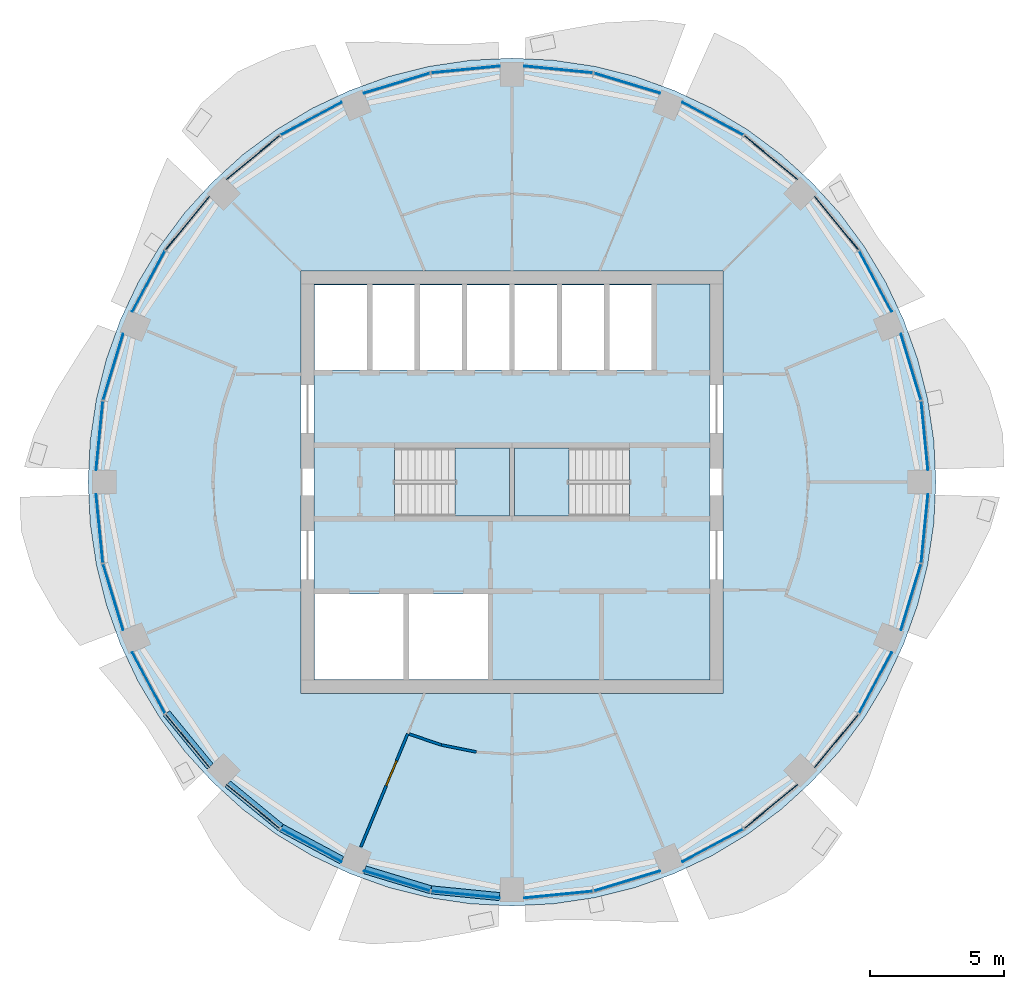
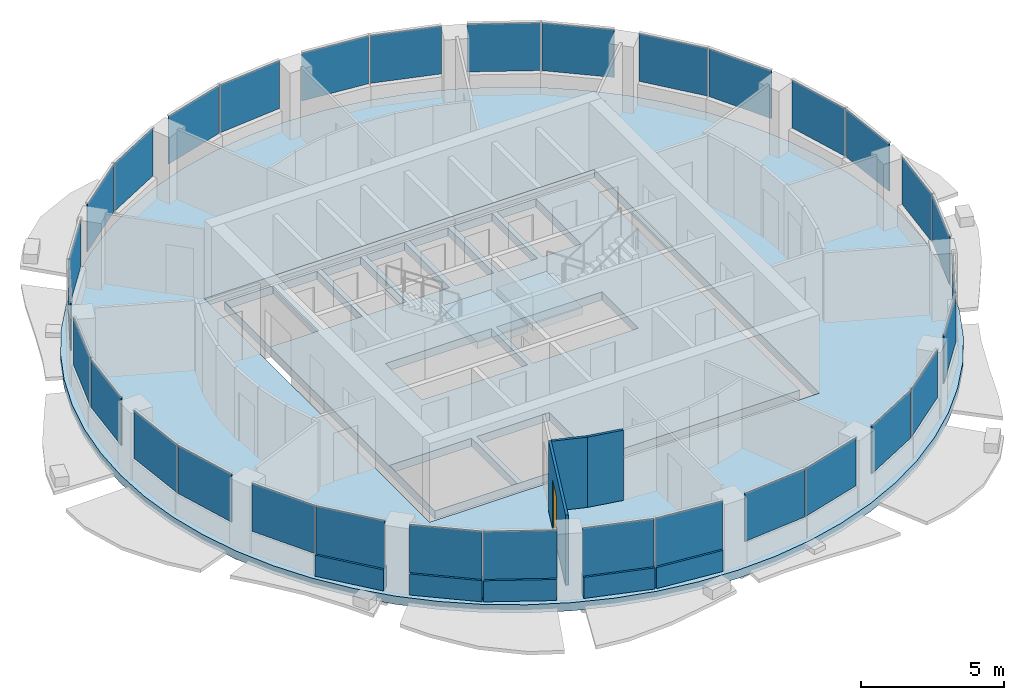
# One storey, part 6 of 14: 32 plates, 8 walls, 4 slabs, 1 door, 1 opening, 18 elements without a shape of their own.
"""IFC4 building model written with IfcOpenShell, lengths in metres."""

from ifc_helpers import new_model, si_unit, direction, frame, frame_2d, origin, origin_2d, place, context, subcontext, project, spatial, polyline, rectangle, outline, extrude, material, layer, layer_set, type_object, element, fill, aggregate, save


model = new_model("IFC4")

# Units and contexts
model_context = context("Model", 3, precision=1e-05, world=origin(), true_north=direction((0.0, 1.0)))
body_context = subcontext(model_context, "Body", "Model", "MODEL_VIEW")
ifc_project = project(units=[si_unit("LENGTHUNIT", "METRE"), si_unit("AREAUNIT", "SQUARE_METRE"), si_unit("VOLUMEUNIT", "CUBIC_METRE"), si_unit("PLANEANGLEUNIT", "RADIAN"), si_unit("MASSUNIT", "GRAM", prefix="KILO")], contexts=[model_context])

# Site, building, storey
site_placement = place(None, origin())
site = spatial("IfcSite", under=ifc_project, at=site_placement, CompositionType="ELEMENT")
building_placement = place(site_placement, origin())
building = spatial("IfcBuilding", under=site, at=building_placement, Name="Polderwave Tower", CompositionType="ELEMENT")
storey_placement = place(building_placement, frame((0.0, 0.0, 221.14990234375)))
storey = spatial("IfcBuildingStorey", under=building, at=storey_placement, Name="L60", CompositionType="ELEMENT", Elevation=221.14990234375)

# Slab
ifc_material_1 = material(Name="Concrete C40/50", Category="concrete")
ifc_layer_1 = layer(ifc_material_1, 0.35009765625)
ifc_layer_set_1 = layer_set([ifc_layer_1], Name="Core floor slab 350")
slab_type_1 = type_object("IfcSlabType", Name="Core floor slab 350", PredefinedType="FLOOR", material=ifc_layer_set_1)
slab_1_placement = place(storey_placement, frame((0.0, 0.0, -0.349853515625)))
element("IfcSlab", 1, at=slab_1_placement, inside=storey, type_object=slab_type_1, Name="L60 core floor", PredefinedType="FLOOR", context=body_context, shape_type="SweptSolid", body=[
    extrude(outline(polyline([(-7.3740234375, -7.3740234375), (7.3740234375, -7.3740234375), (7.3740234375, 7.3740234375), (-7.3740234375, 7.3740234375), (-7.3740234375, -7.3740234375)]), holes=[polyline([(-7.35400390625, -7.35400390625), (-4.037109375, -7.35400390625), (-4.037109375, -4.174072265625), (-7.35400390625, -4.174072265625), (-7.35400390625, -7.35400390625)]), polyline([(-3.8369140625, -7.35400390625), (-0.89990234375, -7.35400390625), (-0.89990234375, -4.174072265625), (-3.8369140625, -4.174072265625), (-3.8369140625, -7.35400390625)]), polyline([(-7.35400390625, 4.174072265625), (-5.405517578125, 4.174072265625), (-5.405517578125, 7.35400390625), (-7.35400390625, 7.35400390625), (-7.35400390625, 4.174072265625)]), polyline([(-5.20556640625, 4.174072265625), (-3.636962890625, 4.174072265625), (-3.636962890625, 7.35400390625), (-5.20556640625, 7.35400390625), (-5.20556640625, 4.174072265625)]), polyline([(-3.43701171875, 4.174072265625), (-1.868408203125, 4.174072265625), (-1.868408203125, 7.35400390625), (-3.43701171875, 7.35400390625), (-3.43701171875, 4.174072265625)]), polyline([(-1.66845703125, 4.174072265625), (-0.10009765625, 4.174072265625), (-0.10009765625, 7.35400390625), (-1.66845703125, 7.35400390625), (-1.66845703125, 4.174072265625)]), polyline([(0.10009765625, 4.174072265625), (1.66845703125, 4.174072265625), (1.66845703125, 7.35400390625), (0.10009765625, 7.35400390625), (0.10009765625, 4.174072265625)]), polyline([(1.868408203125, 4.174072265625), (3.43701171875, 4.174072265625), (3.43701171875, 7.35400390625), (1.868408203125, 7.35400390625), (1.868408203125, 4.174072265625)]), polyline([(3.636962890625, 4.174072265625), (5.20556640625, 4.174072265625), (5.20556640625, 7.35400390625), (3.636962890625, 7.35400390625), (3.636962890625, 4.174072265625)]), polyline([(-4.37353515625, -1.2744140625), (-0.1005859375, -1.2744140625), (-0.1005859375, 1.2744140625), (-4.37353515625, 1.2744140625), (-4.37353515625, -1.2744140625)]), polyline([(0.1005859375, -1.2744140625), (4.37353515625, -1.2744140625), (4.37353515625, 1.2744140625), (0.1005859375, 1.2744140625), (0.1005859375, -1.2744140625)])]), origin(), (0.0, 0.0, 1.0), 0.349853515625),
])

# Curtain wall, plates
ifc_material_2 = material(Name="Aluminium 6063-T6 and glass", Category="aluminium")
curtain_wall_type = type_object("IfcCurtainWallType", Name="Office ribbon glazing wall", PredefinedType="NOTDEFINED", material=ifc_material_2)
curtain_wall_1_placement = place(storey_placement, origin())
curtain_wall_1 = element("IfcCurtainWall", 2, at=curtain_wall_1_placement, inside=storey, type_object=curtain_wall_type, Name="CW3 L60 00", PredefinedType="NOTDEFINED")
ifc_material_3 = material(Name="Glass, low-e laminated double glazing", Category="glass")
ifc_layer_2 = layer(ifc_material_3, 0.031982421875)
ifc_layer_set_2 = layer_set([ifc_layer_2], Name="Office ribbon glazing glass panel 32 mm")
plate_type = type_object("IfcPlateType", Name="Office ribbon glazing glass panel 32 mm", PredefinedType="CURTAIN_PANEL", material=ifc_layer_set_2)
plate_1_placement = place(storey_placement, frame((15.3798828125, 1.728271484375, 0.900146484375), z_axis=(0.0, 0.0, 1.0), x_axis=(-0.098206463381, 0.995166061796, 0.0)))
plate_1 = element("IfcPlate", 3, at=plate_1_placement, type_object=plate_type, Name="CW3 panel 1", PredefinedType="CURTAIN_PANEL", context=body_context, shape_type="SweptSolid", body=[
    extrude(rectangle(XDim=2.569091796875, YDim=0.031982421875, at=origin_2d()), origin(), (0.0, 0.0, 1.0), 2.0400390625),
])
plate_2_placement = place(storey_placement, frame((14.87060546875, 4.289306640625, 0.900146484375), z_axis=(0.0, 0.0, 1.0), x_axis=(-0.290104293095, 0.956995036104, 0.0)))
plate_2 = element("IfcPlate", 4, at=plate_2_placement, type_object=plate_type, Name="CW3 panel 2", PredefinedType="CURTAIN_PANEL", context=body_context, shape_type="SweptSolid", body=[
    extrude(rectangle(XDim=2.568115234375, YDim=0.031982421875, at=origin_2d()), origin(), (0.0, 0.0, 1.0), 2.0400390625),
])
aggregate(curtain_wall_1, [plate_1, plate_2])

curtain_wall_2_placement = place(storey_placement, origin())
curtain_wall_2 = element("IfcCurtainWall", 5, at=curtain_wall_2_placement, inside=storey, type_object=curtain_wall_type, Name="CW3 L60 01", PredefinedType="NOTDEFINED")
plate_3_placement = place(storey_placement, frame((13.547607421875, 7.482421875, 0.900146484375), z_axis=(0.0, 0.0, 1.0), x_axis=(-0.471547575742, 0.881840622682, 0.0)))
plate_3 = element("IfcPlate", 6, at=plate_3_placement, type_object=plate_type, Name="CW3 panel 1", PredefinedType="CURTAIN_PANEL", context=body_context, shape_type="SweptSolid", body=[
    extrude(rectangle(XDim=2.568115234375, YDim=0.031982421875, at=origin_2d()), origin(), (0.0, 0.0, 1.0), 2.0400390625),
])
plate_4_placement = place(storey_placement, frame((12.0966796875, 9.653076171875, 0.900146484375), z_axis=(0.0, 0.0, 1.0), x_axis=(-0.634370348203, 0.77302927585, 0.0)))
plate_4 = element("IfcPlate", 7, at=plate_4_placement, type_object=plate_type, Name="CW3 panel 2", PredefinedType="CURTAIN_PANEL", context=body_context, shape_type="SweptSolid", body=[
    extrude(rectangle(XDim=2.56884765625, YDim=0.031982421875, at=origin_2d()), origin(), (0.0, 0.0, 1.0), 2.0400390625),
])
aggregate(curtain_wall_2, [plate_3, plate_4])

curtain_wall_3_placement = place(storey_placement, origin())
curtain_wall_3 = element("IfcCurtainWall", 8, at=curtain_wall_3_placement, inside=storey, type_object=curtain_wall_type, Name="CW3 L60 02", PredefinedType="NOTDEFINED")
plate_5_placement = place(storey_placement, frame((9.653076171875, 12.0966796875, 0.900146484375), z_axis=(0.0, 0.0, 1.0), x_axis=(-0.77302927585, 0.634370348203, 0.0)))
plate_5 = element("IfcPlate", 9, at=plate_5_placement, type_object=plate_type, Name="CW3 panel 1", PredefinedType="CURTAIN_PANEL", context=body_context, shape_type="SweptSolid", body=[
    extrude(rectangle(XDim=2.56884765625, YDim=0.031982421875, at=origin_2d()), origin(), (0.0, 0.0, 1.0), 2.0400390625),
])
plate_6_placement = place(storey_placement, frame((7.482421875, 13.547607421875, 0.900146484375), z_axis=(0.0, 0.0, 1.0), x_axis=(-0.881840622682, 0.471547575742, 0.0)))
plate_6 = element("IfcPlate", 10, at=plate_6_placement, type_object=plate_type, Name="CW3 panel 2", PredefinedType="CURTAIN_PANEL", context=body_context, shape_type="SweptSolid", body=[
    extrude(rectangle(XDim=2.568115234375, YDim=0.031982421875, at=origin_2d()), origin(), (0.0, 0.0, 1.0), 2.0400390625),
])
aggregate(curtain_wall_3, [plate_5, plate_6])

curtain_wall_4_placement = place(storey_placement, origin())
curtain_wall_4 = element("IfcCurtainWall", 11, at=curtain_wall_4_placement, inside=storey, type_object=curtain_wall_type, Name="CW3 L60 03", PredefinedType="NOTDEFINED")
plate_7_placement = place(storey_placement, frame((4.289306640625, 14.87060546875, 0.900146484375), z_axis=(0.0, 0.0, 1.0), x_axis=(-0.956995036104, 0.290104293095, 0.0)))
plate_7 = element("IfcPlate", 12, at=plate_7_placement, type_object=plate_type, Name="CW3 panel 1", PredefinedType="CURTAIN_PANEL", context=body_context, shape_type="SweptSolid", body=[
    extrude(rectangle(XDim=2.568115234375, YDim=0.031982421875, at=origin_2d()), origin(), (0.0, 0.0, 1.0), 2.0400390625),
])
plate_8_placement = place(storey_placement, frame((1.728271484375, 15.3798828125, 0.900146484375), z_axis=(0.0, 0.0, 1.0), x_axis=(-0.995166061796, 0.098206463381, 0.0)))
plate_8 = element("IfcPlate", 13, at=plate_8_placement, type_object=plate_type, Name="CW3 panel 2", PredefinedType="CURTAIN_PANEL", context=body_context, shape_type="SweptSolid", body=[
    extrude(rectangle(XDim=2.569091796875, YDim=0.031982421875, at=origin_2d()), origin(), (0.0, 0.0, 1.0), 2.0400390625),
])
aggregate(curtain_wall_4, [plate_7, plate_8])

curtain_wall_5_placement = place(storey_placement, origin())
curtain_wall_5 = element("IfcCurtainWall", 14, at=curtain_wall_5_placement, inside=storey, type_object=curtain_wall_type, Name="CW3 L60 04", PredefinedType="NOTDEFINED")
plate_9_placement = place(storey_placement, frame((-1.728271484375, 15.3798828125, 0.900146484375), z_axis=(0.0, 0.0, 1.0), x_axis=(-0.995166061796, -0.098206463381, 0.0)))
plate_9 = element("IfcPlate", 15, at=plate_9_placement, type_object=plate_type, Name="CW3 panel 1", PredefinedType="CURTAIN_PANEL", context=body_context, shape_type="SweptSolid", body=[
    extrude(rectangle(XDim=2.569091796875, YDim=0.031982421875, at=origin_2d()), origin(), (0.0, 0.0, 1.0), 2.0400390625),
])
plate_10_placement = place(storey_placement, frame((-4.289306640625, 14.87060546875, 0.900146484375), z_axis=(0.0, 0.0, 1.0), x_axis=(-0.956995036104, -0.290104293095, 0.0)))
plate_10 = element("IfcPlate", 16, at=plate_10_placement, type_object=plate_type, Name="CW3 panel 2", PredefinedType="CURTAIN_PANEL", context=body_context, shape_type="SweptSolid", body=[
    extrude(rectangle(XDim=2.568115234375, YDim=0.031982421875, at=origin_2d()), origin(), (0.0, 0.0, 1.0), 2.0400390625),
])
aggregate(curtain_wall_5, [plate_9, plate_10])

curtain_wall_6_placement = place(storey_placement, origin())
curtain_wall_6 = element("IfcCurtainWall", 17, at=curtain_wall_6_placement, inside=storey, type_object=curtain_wall_type, Name="CW3 L60 05", PredefinedType="NOTDEFINED")
plate_11_placement = place(storey_placement, frame((-7.482421875, 13.547607421875, 0.900146484375), z_axis=(0.0, 0.0, 1.0), x_axis=(-0.881840622682, -0.471547575742, 0.0)))
plate_11 = element("IfcPlate", 18, at=plate_11_placement, type_object=plate_type, Name="CW3 panel 1", PredefinedType="CURTAIN_PANEL", context=body_context, shape_type="SweptSolid", body=[
    extrude(rectangle(XDim=2.568115234375, YDim=0.031982421875, at=origin_2d()), origin(), (0.0, 0.0, 1.0), 2.0400390625),
])
plate_12_placement = place(storey_placement, frame((-9.653076171875, 12.0966796875, 0.900146484375), z_axis=(0.0, 0.0, 1.0), x_axis=(-0.77302927585, -0.634370348203, 0.0)))
plate_12 = element("IfcPlate", 19, at=plate_12_placement, type_object=plate_type, Name="CW3 panel 2", PredefinedType="CURTAIN_PANEL", context=body_context, shape_type="SweptSolid", body=[
    extrude(rectangle(XDim=2.56884765625, YDim=0.031982421875, at=origin_2d()), origin(), (0.0, 0.0, 1.0), 2.0400390625),
])
aggregate(curtain_wall_6, [plate_11, plate_12])

curtain_wall_7_placement = place(storey_placement, origin())
curtain_wall_7 = element("IfcCurtainWall", 20, at=curtain_wall_7_placement, inside=storey, type_object=curtain_wall_type, Name="CW3 L60 06", PredefinedType="NOTDEFINED")
plate_13_placement = place(storey_placement, frame((-12.0966796875, 9.653076171875, 0.900146484375), z_axis=(0.0, 0.0, 1.0), x_axis=(-0.634370348203, -0.77302927585, 0.0)))
plate_13 = element("IfcPlate", 21, at=plate_13_placement, type_object=plate_type, Name="CW3 panel 1", PredefinedType="CURTAIN_PANEL", context=body_context, shape_type="SweptSolid", body=[
    extrude(rectangle(XDim=2.56884765625, YDim=0.031982421875, at=origin_2d()), origin(), (0.0, 0.0, 1.0), 2.0400390625),
])
plate_14_placement = place(storey_placement, frame((-13.547607421875, 7.482421875, 0.900146484375), z_axis=(0.0, 0.0, 1.0), x_axis=(-0.471547575742, -0.881840622682, 0.0)))
plate_14 = element("IfcPlate", 22, at=plate_14_placement, type_object=plate_type, Name="CW3 panel 2", PredefinedType="CURTAIN_PANEL", context=body_context, shape_type="SweptSolid", body=[
    extrude(rectangle(XDim=2.568115234375, YDim=0.031982421875, at=origin_2d()), origin(), (0.0, 0.0, 1.0), 2.0400390625),
])
aggregate(curtain_wall_7, [plate_13, plate_14])

curtain_wall_8_placement = place(storey_placement, origin())
curtain_wall_8 = element("IfcCurtainWall", 23, at=curtain_wall_8_placement, inside=storey, type_object=curtain_wall_type, Name="CW3 L60 07", PredefinedType="NOTDEFINED")
plate_15_placement = place(storey_placement, frame((-14.87060546875, 4.289306640625, 0.900146484375), z_axis=(0.0, 0.0, 1.0), x_axis=(-0.290104293095, -0.956995036104, 0.0)))
plate_15 = element("IfcPlate", 24, at=plate_15_placement, type_object=plate_type, Name="CW3 panel 1", PredefinedType="CURTAIN_PANEL", context=body_context, shape_type="SweptSolid", body=[
    extrude(rectangle(XDim=2.568115234375, YDim=0.031982421875, at=origin_2d()), origin(), (0.0, 0.0, 1.0), 2.0400390625),
])
plate_16_placement = place(storey_placement, frame((-15.3798828125, 1.728271484375, 0.900146484375), z_axis=(0.0, 0.0, 1.0), x_axis=(-0.098206463381, -0.995166061796, 0.0)))
plate_16 = element("IfcPlate", 25, at=plate_16_placement, type_object=plate_type, Name="CW3 panel 2", PredefinedType="CURTAIN_PANEL", context=body_context, shape_type="SweptSolid", body=[
    extrude(rectangle(XDim=2.569091796875, YDim=0.031982421875, at=origin_2d()), origin(), (0.0, 0.0, 1.0), 2.0400390625),
])
aggregate(curtain_wall_8, [plate_15, plate_16])

curtain_wall_9_placement = place(storey_placement, origin())
curtain_wall_9 = element("IfcCurtainWall", 26, at=curtain_wall_9_placement, inside=storey, type_object=curtain_wall_type, Name="CW3 L60 08", PredefinedType="NOTDEFINED")
plate_17_placement = place(storey_placement, frame((-15.3798828125, -1.728271484375, 0.900146484375), z_axis=(0.0, 0.0, 1.0), x_axis=(0.098206463381, -0.995166061796, 0.0)))
plate_17 = element("IfcPlate", 27, at=plate_17_placement, type_object=plate_type, Name="CW3 panel 1", PredefinedType="CURTAIN_PANEL", context=body_context, shape_type="SweptSolid", body=[
    extrude(rectangle(XDim=2.569091796875, YDim=0.031982421875, at=origin_2d()), origin(), (0.0, 0.0, 1.0), 2.0400390625),
])
plate_18_placement = place(storey_placement, frame((-14.87060546875, -4.289306640625, 0.900146484375), z_axis=(0.0, 0.0, 1.0), x_axis=(0.290104293095, -0.956995036104, 0.0)))
plate_18 = element("IfcPlate", 28, at=plate_18_placement, type_object=plate_type, Name="CW3 panel 2", PredefinedType="CURTAIN_PANEL", context=body_context, shape_type="SweptSolid", body=[
    extrude(rectangle(XDim=2.568115234375, YDim=0.031982421875, at=origin_2d()), origin(), (0.0, 0.0, 1.0), 2.0400390625),
])
aggregate(curtain_wall_9, [plate_17, plate_18])

curtain_wall_10_placement = place(storey_placement, origin())
curtain_wall_10 = element("IfcCurtainWall", 29, at=curtain_wall_10_placement, inside=storey, type_object=curtain_wall_type, Name="CW3 L60 09", PredefinedType="NOTDEFINED")
plate_19_placement = place(storey_placement, frame((-13.547607421875, -7.482421875, 0.900146484375), z_axis=(0.0, 0.0, 1.0), x_axis=(0.471547575742, -0.881840622682, 0.0)))
plate_19 = element("IfcPlate", 30, at=plate_19_placement, type_object=plate_type, Name="CW3 panel 1", PredefinedType="CURTAIN_PANEL", context=body_context, shape_type="SweptSolid", body=[
    extrude(rectangle(XDim=2.568115234375, YDim=0.031982421875, at=origin_2d()), origin(), (0.0, 0.0, 1.0), 2.0400390625),
])
plate_20_placement = place(storey_placement, frame((-12.0966796875, -9.653076171875, 0.900146484375), z_axis=(0.0, 0.0, 1.0), x_axis=(0.634370348203, -0.77302927585, 0.0)))
plate_20 = element("IfcPlate", 31, at=plate_20_placement, type_object=plate_type, Name="CW3 panel 2", PredefinedType="CURTAIN_PANEL", context=body_context, shape_type="SweptSolid", body=[
    extrude(rectangle(XDim=2.56884765625, YDim=0.031982421875, at=origin_2d()), origin(), (0.0, 0.0, 1.0), 2.0400390625),
])
aggregate(curtain_wall_10, [plate_19, plate_20])

curtain_wall_11_placement = place(storey_placement, origin())
curtain_wall_11 = element("IfcCurtainWall", 32, at=curtain_wall_11_placement, inside=storey, type_object=curtain_wall_type, Name="CW3 L60 10", PredefinedType="NOTDEFINED")
plate_21_placement = place(storey_placement, frame((-9.653076171875, -12.0966796875, 0.900146484375), z_axis=(0.0, 0.0, 1.0), x_axis=(0.77302927585, -0.634370348203, 0.0)))
plate_21 = element("IfcPlate", 33, at=plate_21_placement, type_object=plate_type, Name="CW3 panel 1", PredefinedType="CURTAIN_PANEL", context=body_context, shape_type="SweptSolid", body=[
    extrude(rectangle(XDim=2.56884765625, YDim=0.031982421875, at=origin_2d()), origin(), (0.0, 0.0, 1.0), 2.0400390625),
])
plate_22_placement = place(storey_placement, frame((-7.482421875, -13.547607421875, 0.900146484375), z_axis=(0.0, 0.0, 1.0), x_axis=(0.881840622682, -0.471547575742, 0.0)))
plate_22 = element("IfcPlate", 34, at=plate_22_placement, type_object=plate_type, Name="CW3 panel 2", PredefinedType="CURTAIN_PANEL", context=body_context, shape_type="SweptSolid", body=[
    extrude(rectangle(XDim=2.568115234375, YDim=0.031982421875, at=origin_2d()), origin(), (0.0, 0.0, 1.0), 2.0400390625),
])
aggregate(curtain_wall_11, [plate_21, plate_22])

curtain_wall_12_placement = place(storey_placement, origin())
curtain_wall_12 = element("IfcCurtainWall", 35, at=curtain_wall_12_placement, inside=storey, type_object=curtain_wall_type, Name="CW3 L60 11", PredefinedType="NOTDEFINED")
plate_23_placement = place(storey_placement, frame((-4.289306640625, -14.87060546875, 0.900146484375), z_axis=(0.0, 0.0, 1.0), x_axis=(0.956995036104, -0.290104293095, 0.0)))
plate_23 = element("IfcPlate", 36, at=plate_23_placement, type_object=plate_type, Name="CW3 panel 1", PredefinedType="CURTAIN_PANEL", context=body_context, shape_type="SweptSolid", body=[
    extrude(rectangle(XDim=2.568115234375, YDim=0.031982421875, at=origin_2d()), origin(), (0.0, 0.0, 1.0), 2.0400390625),
])
plate_24_placement = place(storey_placement, frame((-1.728271484375, -15.3798828125, 0.900146484375), z_axis=(0.0, 0.0, 1.0), x_axis=(0.995166061796, -0.098206463381, 0.0)))
plate_24 = element("IfcPlate", 37, at=plate_24_placement, type_object=plate_type, Name="CW3 panel 2", PredefinedType="CURTAIN_PANEL", context=body_context, shape_type="SweptSolid", body=[
    extrude(rectangle(XDim=2.569091796875, YDim=0.031982421875, at=origin_2d()), origin(), (0.0, 0.0, 1.0), 2.0400390625),
])
aggregate(curtain_wall_12, [plate_23, plate_24])

curtain_wall_13_placement = place(storey_placement, origin())
curtain_wall_13 = element("IfcCurtainWall", 38, at=curtain_wall_13_placement, inside=storey, type_object=curtain_wall_type, Name="CW3 L60 12", PredefinedType="NOTDEFINED")
plate_25_placement = place(storey_placement, frame((1.728271484375, -15.3798828125, 0.900146484375), z_axis=(0.0, 0.0, 1.0), x_axis=(0.995166061796, 0.098206463381, 0.0)))
plate_25 = element("IfcPlate", 39, at=plate_25_placement, type_object=plate_type, Name="CW3 panel 1", PredefinedType="CURTAIN_PANEL", context=body_context, shape_type="SweptSolid", body=[
    extrude(rectangle(XDim=2.569091796875, YDim=0.031982421875, at=origin_2d()), origin(), (0.0, 0.0, 1.0), 2.0400390625),
])
plate_26_placement = place(storey_placement, frame((4.289306640625, -14.87060546875, 0.900146484375), z_axis=(0.0, 0.0, 1.0), x_axis=(0.956995036104, 0.290104293095, 0.0)))
plate_26 = element("IfcPlate", 40, at=plate_26_placement, type_object=plate_type, Name="CW3 panel 2", PredefinedType="CURTAIN_PANEL", context=body_context, shape_type="SweptSolid", body=[
    extrude(rectangle(XDim=2.568115234375, YDim=0.031982421875, at=origin_2d()), origin(), (0.0, 0.0, 1.0), 2.0400390625),
])
aggregate(curtain_wall_13, [plate_25, plate_26])

curtain_wall_14_placement = place(storey_placement, origin())
curtain_wall_14 = element("IfcCurtainWall", 41, at=curtain_wall_14_placement, inside=storey, type_object=curtain_wall_type, Name="CW3 L60 13", PredefinedType="NOTDEFINED")
plate_27_placement = place(storey_placement, frame((7.482421875, -13.547607421875, 0.900146484375), z_axis=(0.0, 0.0, 1.0), x_axis=(0.881840622682, 0.471547575742, 0.0)))
plate_27 = element("IfcPlate", 42, at=plate_27_placement, type_object=plate_type, Name="CW3 panel 1", PredefinedType="CURTAIN_PANEL", context=body_context, shape_type="SweptSolid", body=[
    extrude(rectangle(XDim=2.568115234375, YDim=0.031982421875, at=origin_2d()), origin(), (0.0, 0.0, 1.0), 2.0400390625),
])
plate_28_placement = place(storey_placement, frame((9.653076171875, -12.0966796875, 0.900146484375), z_axis=(0.0, 0.0, 1.0), x_axis=(0.77302927585, 0.634370348203, 0.0)))
plate_28 = element("IfcPlate", 43, at=plate_28_placement, type_object=plate_type, Name="CW3 panel 2", PredefinedType="CURTAIN_PANEL", context=body_context, shape_type="SweptSolid", body=[
    extrude(rectangle(XDim=2.56884765625, YDim=0.031982421875, at=origin_2d()), origin(), (0.0, 0.0, 1.0), 2.0400390625),
])
aggregate(curtain_wall_14, [plate_27, plate_28])

curtain_wall_15_placement = place(storey_placement, origin())
curtain_wall_15 = element("IfcCurtainWall", 44, at=curtain_wall_15_placement, inside=storey, type_object=curtain_wall_type, Name="CW3 L60 14", PredefinedType="NOTDEFINED")
plate_29_placement = place(storey_placement, frame((12.0966796875, -9.653076171875, 0.900146484375), z_axis=(0.0, 0.0, 1.0), x_axis=(0.634370348203, 0.77302927585, 0.0)))
plate_29 = element("IfcPlate", 45, at=plate_29_placement, type_object=plate_type, Name="CW3 panel 1", PredefinedType="CURTAIN_PANEL", context=body_context, shape_type="SweptSolid", body=[
    extrude(rectangle(XDim=2.56884765625, YDim=0.031982421875, at=origin_2d()), origin(), (0.0, 0.0, 1.0), 2.0400390625),
])
plate_30_placement = place(storey_placement, frame((13.547607421875, -7.482421875, 0.900146484375), z_axis=(0.0, 0.0, 1.0), x_axis=(0.471547575742, 0.881840622682, 0.0)))
plate_30 = element("IfcPlate", 46, at=plate_30_placement, type_object=plate_type, Name="CW3 panel 2", PredefinedType="CURTAIN_PANEL", context=body_context, shape_type="SweptSolid", body=[
    extrude(rectangle(XDim=2.568115234375, YDim=0.031982421875, at=origin_2d()), origin(), (0.0, 0.0, 1.0), 2.0400390625),
])
aggregate(curtain_wall_15, [plate_29, plate_30])

curtain_wall_16_placement = place(storey_placement, origin())
curtain_wall_16 = element("IfcCurtainWall", 47, at=curtain_wall_16_placement, inside=storey, type_object=curtain_wall_type, Name="CW3 L60 15", PredefinedType="NOTDEFINED")
plate_31_placement = place(storey_placement, frame((14.87060546875, -4.289306640625, 0.900146484375), z_axis=(0.0, 0.0, 1.0), x_axis=(0.290104293095, 0.956995036104, 0.0)))
plate_31 = element("IfcPlate", 48, at=plate_31_placement, type_object=plate_type, Name="CW3 panel 1", PredefinedType="CURTAIN_PANEL", context=body_context, shape_type="SweptSolid", body=[
    extrude(rectangle(XDim=2.568115234375, YDim=0.031982421875, at=origin_2d()), origin(), (0.0, 0.0, 1.0), 2.0400390625),
])
plate_32_placement = place(storey_placement, frame((15.3798828125, -1.728271484375, 0.900146484375), z_axis=(0.0, 0.0, 1.0), x_axis=(0.098206463381, 0.995166061796, 0.0)))
plate_32 = element("IfcPlate", 49, at=plate_32_placement, type_object=plate_type, Name="CW3 panel 2", PredefinedType="CURTAIN_PANEL", context=body_context, shape_type="SweptSolid", body=[
    extrude(rectangle(XDim=2.569091796875, YDim=0.031982421875, at=origin_2d()), origin(), (0.0, 0.0, 1.0), 2.0400390625),
])
aggregate(curtain_wall_16, [plate_31, plate_32])

# Slab
ifc_layer_3 = layer(ifc_material_1, 0.35009765625)
ifc_layer_set_3 = layer_set([ifc_layer_3], Name="PT FLOOR SLAB 350 C40/50")
slab_type_2 = type_object("IfcSlabType", Name="PT FLOOR SLAB 350 C40/50", PredefinedType="FLOOR", material=ifc_layer_set_3)
slab_2_placement = place(storey_placement, frame((0.0, 0.0, -0.349853515625)))
element("IfcSlab", 50, at=slab_2_placement, inside=storey, type_object=slab_type_2, Name="ST-SLAB-L60", PredefinedType="FLOOR", context=body_context, shape_type="SweptSolid", body=[
    extrude(outline(polyline([(15.800048828125, 0.0), (15.723876953125, 1.548583984375), (15.496337890625, 3.08251953125), (15.11962890625, 4.58642578125), (14.597412109375, 6.04638671875), (13.934326171875, 7.447998046875), (13.13720703125, 8.778076171875), (12.213623046875, 10.0234375), (11.17236328125, 11.17236328125), (10.0234375, 12.213623046875), (8.778076171875, 13.13720703125), (7.447998046875, 13.934326171875), (6.04638671875, 14.597412109375), (4.58642578125, 15.11962890625), (3.08251953125, 15.496337890625), (1.548583984375, 15.723876953125), (0.0, 15.800048828125), (-1.548583984375, 15.723876953125), (-3.08251953125, 15.496337890625), (-4.58642578125, 15.11962890625), (-6.04638671875, 14.597412109375), (-7.447998046875, 13.934326171875), (-8.778076171875, 13.13720703125), (-10.0234375, 12.213623046875), (-11.17236328125, 11.17236328125), (-12.213623046875, 10.0234375), (-13.13720703125, 8.778076171875), (-13.934326171875, 7.447998046875), (-14.597412109375, 6.04638671875), (-15.11962890625, 4.58642578125), (-15.496337890625, 3.08251953125), (-15.723876953125, 1.548583984375), (-15.800048828125, 0.0), (-15.723876953125, -1.548583984375), (-15.496337890625, -3.08251953125), (-15.11962890625, -4.58642578125), (-14.597412109375, -6.04638671875), (-13.934326171875, -7.447998046875), (-13.13720703125, -8.778076171875), (-12.213623046875, -10.0234375), (-11.17236328125, -11.17236328125), (-10.0234375, -12.213623046875), (-8.778076171875, -13.13720703125), (-7.447998046875, -13.934326171875), (-6.04638671875, -14.597412109375), (-4.58642578125, -15.11962890625), (-3.08251953125, -15.496337890625), (-1.548583984375, -15.723876953125), (0.0, -15.800048828125), (1.548583984375, -15.723876953125), (3.08251953125, -15.496337890625), (4.58642578125, -15.11962890625), (6.04638671875, -14.597412109375), (7.447998046875, -13.934326171875), (8.778076171875, -13.13720703125), (10.0234375, -12.213623046875), (11.17236328125, -11.17236328125), (12.213623046875, -10.0234375), (13.13720703125, -8.778076171875), (13.934326171875, -7.447998046875), (14.597412109375, -6.04638671875), (15.11962890625, -4.58642578125), (15.496337890625, -3.08251953125), (15.723876953125, -1.548583984375), (15.800048828125, 0.0)]), holes=[polyline([(-7.8740234375, -7.8740234375), (7.8740234375, -7.8740234375), (7.8740234375, 7.8740234375), (-7.8740234375, 7.8740234375), (-7.8740234375, -7.8740234375)])]), origin(), (0.0, 0.0, 1.0), 0.349853515625),
])

# Stair, slab
stair_type = type_object("IfcStairType", Name="Exit stair 1200 x 20 risers", PredefinedType="HALF_TURN_STAIR", material=ifc_material_1)
stair_1_placement = place(storey_placement, origin())
stair_1 = element("IfcStair", 51, at=stair_1_placement, inside=storey, type_object=stair_type, Name="L60 Exit stair A", PredefinedType="HALF_TURN_STAIR")
ifc_layer_4 = layer(ifc_material_1, 0.300048828125)
ifc_layer_set_4 = layer_set([ifc_layer_4], Name="Stair landing 300")
slab_type_3 = type_object("IfcSlabType", Name="Stair landing 300", PredefinedType="LANDING", material=ifc_layer_set_4)
slab_3_placement = place(storey_placement, frame((0.0, 0.0, 1.375)))
slab_3 = element("IfcSlab", 52, at=slab_3_placement, type_object=slab_type_3, Name="ST-A landing 1", PredefinedType="LANDING", context=body_context, shape_type="SweptSolid", body=[
    extrude(outline(polyline([(-2.1240234375, -1.27490234375), (-0.10009765625, -1.27490234375), (-0.10009765625, 1.27490234375), (-2.1240234375, 1.27490234375), (-2.1240234375, -1.27490234375)])), origin(), (0.0, 0.0, 1.0), 0.300048828125),
])
aggregate(stair_1, [slab_3])

stair_2_placement = place(storey_placement, origin())
stair_2 = element("IfcStair", 53, at=stair_2_placement, inside=storey, type_object=stair_type, Name="L60 Exit stair B", PredefinedType="HALF_TURN_STAIR")
slab_4_placement = place(storey_placement, frame((0.0, 0.0, 1.375)))
slab_4 = element("IfcSlab", 54, at=slab_4_placement, type_object=slab_type_3, Name="ST-B landing 1", PredefinedType="LANDING", context=body_context, shape_type="SweptSolid", body=[
    extrude(outline(polyline([(2.1240234375, 1.27490234375), (0.10009765625, 1.27490234375), (0.10009765625, -1.27490234375), (2.1240234375, -1.27490234375), (2.1240234375, 1.27490234375)])), origin(), (0.0, 0.0, 1.0), 0.300048828125),
])
aggregate(stair_2, [slab_4])

# Walls
ifc_material_4 = material(Name="Concrete C50/60 (board-marked)", Category="concrete")
ifc_layer_5 = layer(ifc_material_4, 0.300048828125)
ifc_layer_set_5 = layer_set([ifc_layer_5], Name="Concrete spandrel upstand C50/60")
wall_type_1 = type_object("IfcWallType", Name="Concrete spandrel upstand C50/60", PredefinedType="SOLIDWALL", material=ifc_layer_set_5)
for number, where, z_axis, x_axis, name in (
    (55, (-12.87744140625, -8.62255859375, 0.0), (0.0, 0.0, 1.0), (0.634089861662, -0.773259366149, 0.0), "Spandrel L60 10b"),
    (56, (-10.600341796875, -11.255615234375, 0.0), (0.0, 0.0, 1.0), (0.773259366149, -0.634089861662, 0.0), "Spandrel L60 11a"),
):
    element("IfcWall", number, at=place(storey_placement, frame(where, z_axis=z_axis, x_axis=x_axis)), inside=storey, type_object=wall_type_1, Name=name, PredefinedType="SOLIDWALL", context=body_context, shape_type="SweptSolid", body=[
        extrude(rectangle(XDim=2.5576171875, YDim=0.300048828125, at=frame_2d((1.27880859375, 0.0))), origin(), (0.0, 0.0, 1.0), 0.900146484375),
    ])
wall_1_placement = place(storey_placement, frame((-8.597900390625, -12.89404296875, 0.0), z_axis=(0.0, 0.0, 1.0), x_axis=(0.881810499649, -0.471603904468, 0.0)))
element("IfcWall", 57, at=wall_1_placement, inside=storey, type_object=wall_type_1, Name="Spandrel L60 11b", PredefinedType="SOLIDWALL", context=body_context, shape_type="SweptSolid", body=[
    extrude(rectangle(XDim=2.556884765625, YDim=0.300048828125, at=frame_2d((1.2783203125, 0.0))), origin(), (0.0, 0.0, 1.0), 0.900146484375),
])
wall_2_placement = place(storey_placement, frame((-5.485595703125, -14.455322265625, 0.0), z_axis=(0.0, 0.0, 1.0), x_axis=(0.956960147557, -0.290219358397, 0.0)))
element("IfcWall", 58, at=wall_2_placement, inside=storey, type_object=wall_type_1, Name="Spandrel L60 12a", PredefinedType="SOLIDWALL", context=body_context, shape_type="SweptSolid", body=[
    extrude(rectangle(XDim=2.557373046875, YDim=0.300048828125, at=frame_2d((1.27880859375, 0.0))), origin(), (0.0, 0.0, 1.0), 0.900146484375),
])
wall_3_placement = place(storey_placement, frame((-3.009033203125, -15.20361328125, 0.0), z_axis=(0.0, 0.0, 1.0), x_axis=(0.995173293352, -0.09813315545, 0.0)))
element("IfcWall", 59, at=wall_3_placement, inside=storey, type_object=wall_type_1, Name="Spandrel L60 12b", PredefinedType="SOLIDWALL", context=body_context, shape_type="SweptSolid", body=[
    extrude(rectangle(XDim=2.5576171875, YDim=0.300048828125, at=frame_2d((1.27880859375, 0.0))), origin(), (0.0, 0.0, 1.0), 0.900146484375),
])

# Wall, opening, door
ifc_material_5 = material(Name="Plasterboard on steel studs", Category="steel")
ifc_layer_6 = layer(ifc_material_5, 0.10009765625)
ifc_layer_set_6 = layer_set([ifc_layer_6], Name="Partition 100 mm plasterboard on steel studs")
wall_type_2 = type_object("IfcWallType", Name="Partition 100 mm plasterboard on steel studs", PredefinedType="PARTITIONING", material=ifc_layer_set_6)
wall_4_placement = place(storey_placement, frame((-3.88427734375, -9.37744140625, 0.0), z_axis=(0.0, 0.0, 1.0), x_axis=(-0.382664766489, -0.923887263949, 0.0)))
wall_4 = element("IfcWall", 60, at=wall_4_placement, inside=storey, type_object=wall_type_2, Name="IN-L60-W039", PredefinedType="PARTITIONING", context=body_context, shape_type="SweptSolid", body=[
    extrude(rectangle(XDim=4.570068359375, YDim=0.10009765625, at=frame_2d((2.28515625, 0.0))), origin(), (0.0, 0.0, 1.0), 3.0),
])
opening_placement = place(wall_4_placement, frame((1.10009765625, 0.0, 0.0)))
opening = element("IfcOpeningElement", 61, at=opening_placement, cuts=wall_4, Name="Opening L60-D64", PredefinedType="OPENING", context=body_context, shape_type="SweptSolid", body=[
    extrude(rectangle(XDim=1.0, YDim=2.10009765625, at=frame_2d((0.5, 1.050048828125))), frame((0.0, 0.06005859375, 0.0), z_axis=(0.0, -1.0, 0.0), x_axis=(1.0, 0.0, 0.0)), (0.0, 0.0, 1.0), 0.1201171875),
])
ifc_material_6 = material(Name="Timber veneer door leaf", Category="wood")
door_type = type_object("IfcDoorType", Name="Single door 1000 x 2100", OperationType="NOTDEFINED", PredefinedType="DOOR", material=ifc_material_6)
door_placement = place(opening_placement, origin())
door = element("IfcDoor", 62, at=door_placement, inside=storey, type_object=door_type, Name="Door L60-D64", OperationType="SINGLE_SWING_LEFT", OverallHeight=2.10009765625, OverallWidth=1.0, PredefinedType="DOOR", context=body_context, shape_type="SweptSolid", body=[
    extrude(rectangle(XDim=1.0, YDim=2.10009765625, at=frame_2d((0.5, 1.050048828125))), frame((0.0, 0.02490234375, 0.0), z_axis=(0.0, -1.0, 0.0), x_axis=(1.0, 0.0, 0.0)), (0.0, 0.0, 1.0), 0.050048828125),
])
fill(opening, door)

# Walls
wall_5_placement = place(storey_placement, frame((-2.630126953125, -9.802978515625, 0.0), z_axis=(0.0, 0.0, 1.0), x_axis=(-0.946940072487, 0.321410172706, 0.0)))
element("IfcWall", 63, at=wall_5_placement, inside=storey, type_object=wall_type_2, Name="IN-L60-W040", PredefinedType="PARTITIONING", context=body_context, shape_type="SweptSolid", body=[
    extrude(rectangle(XDim=1.270751953125, YDim=0.10009765625, at=frame_2d((0.63525390625, 0.0))), origin(), (0.0, 0.0, 1.0), 3.0),
])
wall_6_placement = place(storey_placement, frame((-1.327880859375, -10.0625, 0.0), z_axis=(0.0, 0.0, 1.0), x_axis=(-0.980779158075, 0.195121098517, 0.0)))
element("IfcWall", 64, at=wall_6_placement, inside=storey, type_object=wall_type_2, Name="IN-L60-W041", PredefinedType="PARTITIONING", context=body_context, shape_type="SweptSolid", body=[
    extrude(rectangle(XDim=1.3212890625, YDim=0.10009765625, at=frame_2d((0.66064453125, 0.0))), origin(), (0.0, 0.0, 1.0), 3.0),
])

save(model, "model.ifc")
